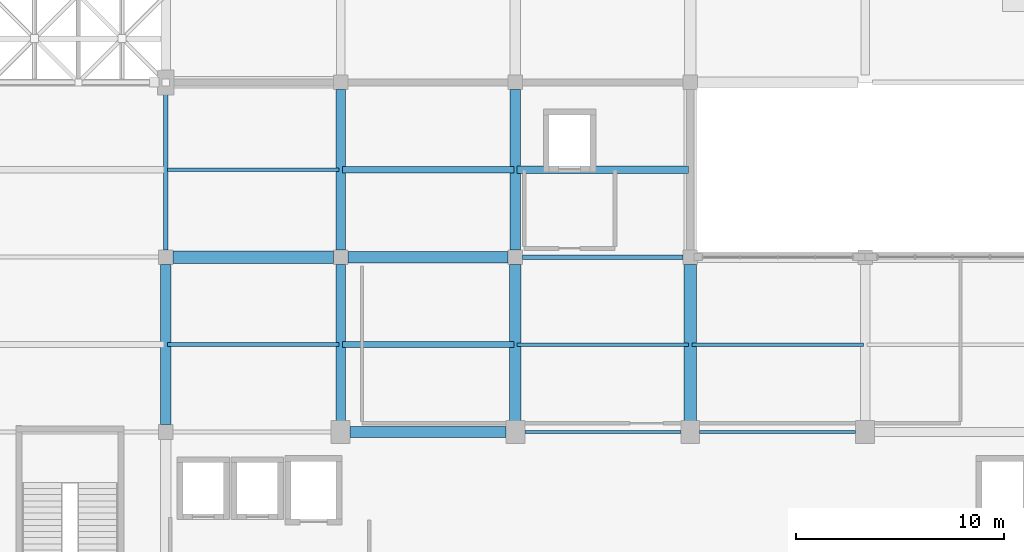
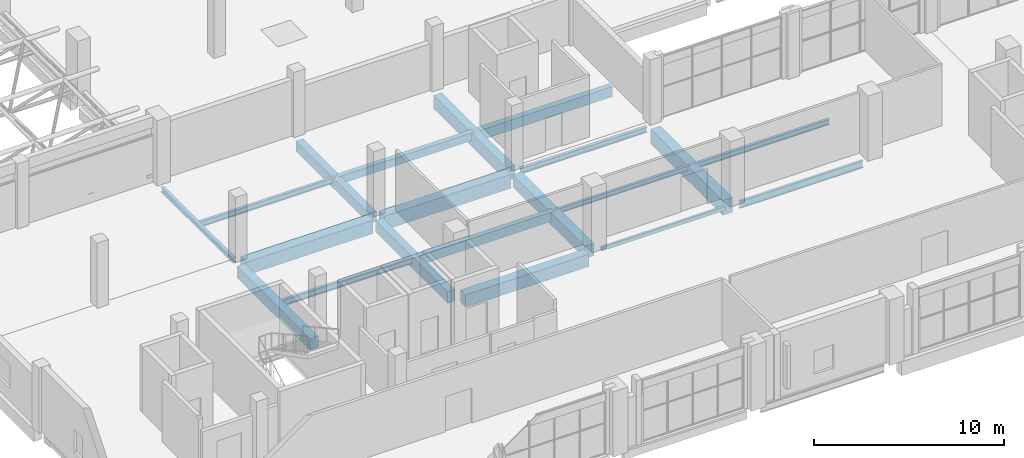
# One storey, part 12 of 64: 20 beams.
"""IFC4 building model written with IfcOpenShell, lengths in metres."""

from ifc_helpers import new_model, si_unit, derived_unit, direction, frame, origin, origin_2d, place, context, subcontext, project, spatial, rectangle, hollow_rectangle, i_section, extrude, material, material_profile, profile_set, type_object, element, save


model = new_model("IFC4")

# Units and contexts
model_context = context("Model", 3, precision=1e-05, world=origin(), true_north=direction((0.0, 1.0)))
body_context = subcontext(model_context, "Body", "Model", "MODEL_VIEW")
ifc_project = project(units=[si_unit("LENGTHUNIT", "METRE"), si_unit("AREAUNIT", "SQUARE_METRE"), si_unit("VOLUMEUNIT", "CUBIC_METRE"), si_unit("PLANEANGLEUNIT", "RADIAN"), si_unit("MASSUNIT", "GRAM", prefix="KILO"), derived_unit("THERMALTRANSMITTANCEUNIT", [(si_unit("POWERUNIT", "WATT"), 1), (si_unit("LENGTHUNIT", "METRE"), -2), (si_unit("THERMODYNAMICTEMPERATUREUNIT", "KELVIN"), -1)])], contexts=[model_context])

# Site, building, storey
site_placement = place(None, origin())
site = spatial("IfcSite", under=ifc_project, at=site_placement, CompositionType="ELEMENT")
building_placement = place(site_placement, origin())
building = spatial("IfcBuilding", under=site, at=building_placement, Name="Barrovel Congress Hotel", CompositionType="ELEMENT")
storey_placement = place(building_placement, frame((0.0, 0.0, 14.10009765625)))
storey = spatial("IfcBuildingStorey", under=building, at=storey_placement, Name="L03", CompositionType="ELEMENT", Elevation=14.10009765625)

# Beams
ifc_material_1 = material(Name="Concrete C40", Category="concrete")
ifc_material_profile_1 = material_profile(ifc_material_1, rectangle(XDim=0.300048828125, YDim=0.5, at=origin_2d()), Name="RC300x500")
ifc_profile_set_1 = profile_set([ifc_material_profile_1], Name="Concrete C40")
beam_type_1 = type_object("IfcBeamType", Name="BM-RC300x500", PredefinedType="JOIST", material=ifc_profile_set_1)
beam_1_placement = place(storey_placement, frame((42.080078125, 33.60009765625, -0.489990234375), z_axis=(1.0, 0.0, 0.0), x_axis=(0.0, 1.0, 0.0)))
element("IfcBeam", 1, at=beam_1_placement, inside=storey, type_object=beam_type_1, Name="JST:L03:42.0:33.6", PredefinedType="JOIST", context=body_context, shape_type="SweptSolid", body=[
    extrude(rectangle(XDim=0.300048828125, YDim=0.5, at=origin_2d()), origin(), (0.0, 0.0, 1.0), 8.239990234375),
])
ifc_material_profile_2 = material_profile(ifc_material_1, rectangle(XDim=0.300048828125, YDim=0.60009765625, at=origin_2d()), Name="RC300x600")
ifc_profile_set_2 = profile_set([ifc_material_profile_2], Name="Concrete C40")
beam_type_2 = type_object("IfcBeamType", Name="BM-RC300x600", PredefinedType="JOIST", material=ifc_profile_set_2)
beam_2_placement = place(storey_placement, frame((42.080078125, 25.199951171875, -0.5400390625), z_axis=(1.0, 0.0, 0.0), x_axis=(0.0, 1.0, 0.0)))
element("IfcBeam", 2, at=beam_2_placement, inside=storey, type_object=beam_type_2, Name="JST:L03:42.0:25.2", PredefinedType="JOIST", context=body_context, shape_type="SweptSolid", body=[
    extrude(rectangle(XDim=0.300048828125, YDim=0.60009765625, at=origin_2d()), origin(), (0.0, 0.0, 1.0), 8.239990234375),
])
ifc_material_profile_3 = material_profile(ifc_material_1, rectangle(XDim=0.35009765625, YDim=0.64990234375, at=origin_2d()), Name="RC350x650")
ifc_profile_set_3 = profile_set([ifc_material_profile_3], Name="Concrete C40")
beam_type_3 = type_object("IfcBeamType", Name="BM-RC350x650", PredefinedType="JOIST", material=ifc_profile_set_3)
beam_3_placement = place(storey_placement, frame((50.47998046875, 33.60009765625, -0.565185546875), z_axis=(1.0, 0.0, 0.0), x_axis=(0.0, 1.0, 0.0)))
element("IfcBeam", 3, at=beam_3_placement, inside=storey, type_object=beam_type_3, Name="JST:L03:50.4:33.6", PredefinedType="JOIST", context=body_context, shape_type="SweptSolid", body=[
    extrude(rectangle(XDim=0.35009765625, YDim=0.64990234375, at=origin_2d()), origin(), (0.0, 0.0, 1.0), 8.239990234375),
])
ifc_material_profile_4 = material_profile(ifc_material_1, rectangle(XDim=0.449951171875, YDim=0.64990234375, at=origin_2d()), Name="RC450x650")
ifc_profile_set_4 = profile_set([ifc_material_profile_4], Name="Concrete C40")
beam_type_4 = type_object("IfcBeamType", Name="BM-RC450x650", PredefinedType="BEAM", material=ifc_profile_set_4)
beam_4_placement = place(storey_placement, frame((42.0, 29.75, -0.565185546875), z_axis=(0.0, 1.0, 0.0), x_axis=(-1.0, 0.0, 0.0)))
element("IfcBeam", 4, at=beam_4_placement, inside=storey, type_object=beam_type_4, Name="BMY:L03:42.0:29.4-37.8", PredefinedType="BEAM", context=body_context, shape_type="SweptSolid", body=[
    extrude(rectangle(XDim=0.449951171875, YDim=0.64990234375, at=origin_2d()), origin(), (0.0, 0.0, 1.0), 7.699951171875),
])
ifc_material_profile_5 = material_profile(ifc_material_1, rectangle(XDim=0.449951171875, YDim=0.75, at=origin_2d()), Name="RC450x750")
ifc_profile_set_5 = profile_set([ifc_material_profile_5], Name="Concrete C40")
beam_type_5 = type_object("IfcBeamType", Name="BM-RC450x750", PredefinedType="BEAM", material=ifc_profile_set_5)
beam_5_placement = place(storey_placement, frame((42.0, 21.449951171875, -0.614990234375), z_axis=(0.0, 1.0, 0.0), x_axis=(-1.0, 0.0, 0.0)))
element("IfcBeam", 5, at=beam_5_placement, inside=storey, type_object=beam_type_5, Name="BMY:L03:42.0:21.0-29.4", PredefinedType="BEAM", context=body_context, shape_type="SweptSolid", body=[
    extrude(rectangle(XDim=0.449951171875, YDim=0.75, at=origin_2d()), origin(), (0.0, 0.0, 1.0), 7.60009765625),
])
ifc_material_profile_6 = material_profile(ifc_material_1, rectangle(XDim=0.5, YDim=0.75, at=origin_2d()), Name="RC500x750")
ifc_profile_set_6 = profile_set([ifc_material_profile_6], Name="Concrete C40")
beam_type_6 = type_object("IfcBeamType", Name="BM-RC500x750", PredefinedType="BEAM", material=ifc_profile_set_6)
beam_6_placement = place(storey_placement, frame((33.60009765625, 21.35009765625, -0.614990234375), z_axis=(0.0, 1.0, 0.0), x_axis=(-1.0, 0.0, 0.0)))
element("IfcBeam", 6, at=beam_6_placement, inside=storey, type_object=beam_type_6, Name="BMY:L03:33.6:21.0-29.4", PredefinedType="BEAM", context=body_context, shape_type="SweptSolid", body=[
    extrude(rectangle(XDim=0.5, YDim=0.75, at=origin_2d()), origin(), (0.0, 0.0, 1.0), 7.699951171875),
])
ifc_material_profile_7 = material_profile(ifc_material_1, rectangle(XDim=0.5, YDim=0.85009765625, at=origin_2d()), Name="RC500x850")
ifc_profile_set_7 = profile_set([ifc_material_profile_7], Name="Concrete C40")
beam_type_7 = type_object("IfcBeamType", Name="BM-RC500x850", PredefinedType="BEAM", material=ifc_profile_set_7)
beam_7_placement = place(storey_placement, frame((50.39990234375, 29.75, -0.6650390625), z_axis=(0.0, 1.0, 0.0), x_axis=(-1.0, 0.0, 0.0)))
element("IfcBeam", 7, at=beam_7_placement, inside=storey, type_object=beam_type_7, Name="BMY:L03:50.4:29.4-37.8", PredefinedType="BEAM", context=body_context, shape_type="SweptSolid", body=[
    extrude(rectangle(XDim=0.5, YDim=0.85009765625, at=origin_2d()), origin(), (0.0, 0.0, 1.0), 7.699951171875),
])
ifc_material_profile_8 = material_profile(ifc_material_1, rectangle(XDim=0.550048828125, YDim=0.800048828125, at=origin_2d()), Name="RC550x800")
ifc_profile_set_8 = profile_set([ifc_material_profile_8], Name="Concrete C40")
beam_type_8 = type_object("IfcBeamType", Name="BM-RC550x800", PredefinedType="BEAM", material=ifc_profile_set_8)
beam_8_placement = place(storey_placement, frame((42.449951171875, 21.0, -0.64013671875), z_axis=(1.0, 0.0, 0.0), x_axis=(0.0, 1.0, 0.0)))
element("IfcBeam", 8, at=beam_8_placement, inside=storey, type_object=beam_type_8, Name="BMX:L03:21.0:42.0-50.4", PredefinedType="BEAM", context=body_context, shape_type="SweptSolid", body=[
    extrude(rectangle(XDim=0.550048828125, YDim=0.800048828125, at=origin_2d()), origin(), (0.0, 0.0, 1.0), 7.5),
])
beam_9_placement = place(storey_placement, frame((50.39990234375, 21.449951171875, -0.64013671875), z_axis=(0.0, 1.0, 0.0), x_axis=(-1.0, 0.0, 0.0)))
element("IfcBeam", 9, at=beam_9_placement, inside=storey, type_object=beam_type_8, Name="BMY:L03:50.4:21.0-29.4", PredefinedType="BEAM", context=body_context, shape_type="SweptSolid", body=[
    extrude(rectangle(XDim=0.550048828125, YDim=0.800048828125, at=origin_2d()), origin(), (0.0, 0.0, 1.0), 7.60009765625),
])
ifc_material_profile_9 = material_profile(ifc_material_1, rectangle(XDim=0.550048828125, YDim=0.89990234375, at=origin_2d()), Name="RC550x900")
ifc_profile_set_9 = profile_set([ifc_material_profile_9], Name="Concrete C40")
beam_type_9 = type_object("IfcBeamType", Name="BM-RC550x900", PredefinedType="BEAM", material=ifc_profile_set_9)
beam_10_placement = place(storey_placement, frame((42.35009765625, 29.39990234375, -0.690185546875), z_axis=(1.0, 0.0, 0.0), x_axis=(0.0, 1.0, 0.0)))
element("IfcBeam", 10, at=beam_10_placement, inside=storey, type_object=beam_type_9, Name="BMX:L03:29.4:42.0-50.4", PredefinedType="BEAM", context=body_context, shape_type="SweptSolid", body=[
    extrude(rectangle(XDim=0.550048828125, YDim=0.89990234375, at=origin_2d()), origin(), (0.0, 0.0, 1.0), 7.699951171875),
])
ifc_material_profile_10 = material_profile(ifc_material_1, rectangle(XDim=0.60009765625, YDim=0.85009765625, at=origin_2d()), Name="RC600x850")
ifc_profile_set_10 = profile_set([ifc_material_profile_10], Name="Concrete C40")
beam_type_10 = type_object("IfcBeamType", Name="BM-RC600x850", PredefinedType="BEAM", material=ifc_profile_set_10)
beam_11_placement = place(storey_placement, frame((33.949951171875, 29.39990234375, -0.6650390625), z_axis=(1.0, 0.0, 0.0), x_axis=(0.0, 1.0, 0.0)))
element("IfcBeam", 11, at=beam_11_placement, inside=storey, type_object=beam_type_10, Name="BMX:L03:29.4:33.6-42.0", PredefinedType="BEAM", context=body_context, shape_type="SweptSolid", body=[
    extrude(rectangle(XDim=0.60009765625, YDim=0.85009765625, at=origin_2d()), origin(), (0.0, 0.0, 1.0), 7.699951171875),
])
ifc_material_profile_11 = material_profile(ifc_material_1, rectangle(XDim=0.60009765625, YDim=0.949951171875, at=origin_2d()), Name="RC600x950")
ifc_profile_set_11 = profile_set([ifc_material_profile_11], Name="Concrete C40")
beam_type_11 = type_object("IfcBeamType", Name="BM-RC600x950", PredefinedType="BEAM", material=ifc_profile_set_11)
beam_12_placement = place(storey_placement, frame((58.800048828125, 21.449951171875, -0.715087890625), z_axis=(0.0, 1.0, 0.0), x_axis=(-1.0, 0.0, 0.0)))
element("IfcBeam", 12, at=beam_12_placement, inside=storey, type_object=beam_type_11, Name="BMY:L03:58.8:21.0-29.4", PredefinedType="BEAM", context=body_context, shape_type="SweptSolid", body=[
    extrude(rectangle(XDim=0.60009765625, YDim=0.949951171875, at=origin_2d()), origin(), (0.0, 0.0, 1.0), 7.60009765625),
])
ifc_material_2 = material(Name="Steel ASTM A500 Grade C", Category="steel")
ifc_material_profile_12 = material_profile(ifc_material_2, hollow_rectangle(XDim=0.15234375, YDim=0.25390625, WallThickness=0.0087890625, InnerFilletRadius=0.0087890625, OuterFilletRadius=0.017578125, at=origin_2d()), Name="HSS254x152x9.5")
ifc_profile_set_12 = profile_set([ifc_material_profile_12], Name="Steel ASTM A500 Grade C")
beam_type_12 = type_object("IfcBeamType", Name="SBM-HSS254x152x9.5", PredefinedType="SPANDREL", material=ifc_profile_set_12)
beam_13_placement = place(storey_placement, frame((50.85009765625, 21.0, -0.3671875), z_axis=(1.0, 0.0, 0.0), x_axis=(0.0, 1.0, 0.0)))
element("IfcBeam", 13, at=beam_13_placement, inside=storey, type_object=beam_type_12, Name="BMX:L03:21.0:50.4-58.8", PredefinedType="SPANDREL", context=body_context, shape_type="SweptSolid", body=[
    extrude(hollow_rectangle(XDim=0.15234375, YDim=0.25390625, WallThickness=0.0087890625, InnerFilletRadius=0.0087890625, OuterFilletRadius=0.017578125, at=origin_2d()), origin(), (0.0, 0.0, 1.0), 7.5),
])
ifc_material_3 = material(Name="Steel ASTM A992 Grade 50", Category="steel")
ifc_material_profile_13 = material_profile(ifc_material_3, i_section(OverallWidth=0.1650390625, OverallDepth=0.31005859375, WebThickness=0.005859375, FlangeThickness=0.009765625, FilletRadius=0.010986328125, at=origin_2d()), Name="W310x39")
ifc_profile_set_13 = profile_set([ifc_material_profile_13], Name="Steel ASTM A992 Grade 50")
beam_type_13 = type_object("IfcBeamType", Name="SBM-W310x39", PredefinedType="JOIST", material=ifc_profile_set_13)
beam_14_placement = place(storey_placement, frame((50.47998046875, 25.199951171875, -0.39501953125), z_axis=(1.0, 0.0, 0.0), x_axis=(0.0, 1.0, 0.0)))
element("IfcBeam", 14, at=beam_14_placement, inside=storey, type_object=beam_type_13, Name="JST:L03:50.4:25.2", PredefinedType="JOIST", context=body_context, shape_type="SweptSolid", body=[
    extrude(i_section(OverallWidth=0.1650390625, OverallDepth=0.31005859375, WebThickness=0.005859375, FlangeThickness=0.009765625, FilletRadius=0.010986328125, at=origin_2d()), origin(), (0.0, 0.0, 1.0), 8.239990234375),
])
ifc_material_profile_14 = material_profile(ifc_material_3, i_section(OverallWidth=0.205078125, OverallDepth=0.31005859375, WebThickness=0.009521484375, FlangeThickness=0.016357421875, FilletRadius=0.012939453125, at=origin_2d()), Name="W310x74")
ifc_profile_set_14 = profile_set([ifc_material_profile_14], Name="Steel ASTM A992 Grade 50")
beam_type_14 = type_object("IfcBeamType", Name="SBM-W310x74", PredefinedType="SPANDREL", material=ifc_profile_set_14)
beam_15_placement = place(storey_placement, frame((33.60009765625, 29.75, -0.39501953125), z_axis=(0.0, 1.0, 0.0), x_axis=(-1.0, 0.0, 0.0)))
element("IfcBeam", 15, at=beam_15_placement, inside=storey, type_object=beam_type_14, Name="BMY:L03:33.6:29.4-37.8", PredefinedType="SPANDREL", context=body_context, shape_type="SweptSolid", body=[
    extrude(i_section(OverallWidth=0.205078125, OverallDepth=0.31005859375, WebThickness=0.009521484375, FlangeThickness=0.016357421875, FilletRadius=0.012939453125, at=origin_2d()), origin(), (0.0, 0.0, 1.0), 7.60009765625),
])
ifc_material_profile_15 = material_profile(ifc_material_3, i_section(OverallWidth=0.1708984375, OverallDepth=0.35205078125, WebThickness=0.0068359375, FlangeThickness=0.009765625, FilletRadius=0.011962890625, at=origin_2d()), Name="W360x44")
ifc_profile_set_15 = profile_set([ifc_material_profile_15], Name="Steel ASTM A992 Grade 50")
beam_type_15 = type_object("IfcBeamType", Name="SBM-W360x44", PredefinedType="JOIST", material=ifc_profile_set_15)
beam_16_placement = place(storey_placement, frame((58.8798828125, 25.199951171875, -0.416015625), z_axis=(1.0, 0.0, 0.0), x_axis=(0.0, 1.0, 0.0)))
element("IfcBeam", 16, at=beam_16_placement, inside=storey, type_object=beam_type_15, Name="JST:L03:58.8:25.2", PredefinedType="JOIST", context=body_context, shape_type="SweptSolid", body=[
    extrude(i_section(OverallWidth=0.1708984375, OverallDepth=0.35205078125, WebThickness=0.0068359375, FlangeThickness=0.009765625, FilletRadius=0.011962890625, at=origin_2d()), origin(), (0.0, 0.0, 1.0), 8.240234375),
])
ifc_material_profile_16 = material_profile(ifc_material_3, i_section(OverallWidth=0.172119140625, OverallDepth=0.35791015625, WebThickness=0.0078125, FlangeThickness=0.01318359375, FilletRadius=0.011962890625, at=origin_2d()), Name="W360x57")
ifc_profile_set_16 = profile_set([ifc_material_profile_16], Name="Steel ASTM A992 Grade 50")
beam_type_16 = type_object("IfcBeamType", Name="SBM-W360x57", PredefinedType="JOIST", material=ifc_profile_set_16)
beam_17_placement = place(storey_placement, frame((33.679931640625, 33.60009765625, -0.419189453125), z_axis=(1.0, 0.0, 0.0), x_axis=(0.0, 1.0, 0.0)))
element("IfcBeam", 17, at=beam_17_placement, inside=storey, type_object=beam_type_16, Name="JST:L03:33.6:33.6", PredefinedType="JOIST", context=body_context, shape_type="SweptSolid", body=[
    extrude(i_section(OverallWidth=0.172119140625, OverallDepth=0.35791015625, WebThickness=0.0078125, FlangeThickness=0.01318359375, FilletRadius=0.011962890625, at=origin_2d()), origin(), (0.0, 0.0, 1.0), 8.239990234375),
])
ifc_material_profile_17 = material_profile(ifc_material_3, i_section(OverallWidth=0.205078125, OverallDepth=0.35400390625, WebThickness=0.009521484375, FlangeThickness=0.016845703125, FilletRadius=0.012939453125, at=origin_2d()), Name="W360x79")
ifc_profile_set_17 = profile_set([ifc_material_profile_17], Name="Steel ASTM A992 Grade 50")
beam_type_17 = type_object("IfcBeamType", Name="SBM-W360x79", PredefinedType="BEAM", material=ifc_profile_set_17)
beam_18_placement = place(storey_placement, frame((50.75, 29.39990234375, -0.4169921875), z_axis=(1.0, 0.0, 0.0), x_axis=(0.0, 1.0, 0.0)))
element("IfcBeam", 18, at=beam_18_placement, inside=storey, type_object=beam_type_17, Name="BMX:L03:29.4:50.4-58.8", PredefinedType="BEAM", context=body_context, shape_type="SweptSolid", body=[
    extrude(i_section(OverallWidth=0.205078125, OverallDepth=0.35400390625, WebThickness=0.009521484375, FlangeThickness=0.016845703125, FilletRadius=0.012939453125, at=origin_2d()), origin(), (0.0, 0.0, 1.0), 7.699951171875),
])
ifc_material_profile_18 = material_profile(ifc_material_3, i_section(OverallWidth=0.177001953125, OverallDepth=0.403076171875, WebThickness=0.007568359375, FlangeThickness=0.010986328125, FilletRadius=0.011962890625, at=origin_2d()), Name="W410x53")
ifc_profile_set_18 = profile_set([ifc_material_profile_18], Name="Steel ASTM A992 Grade 50")
beam_type_18 = type_object("IfcBeamType", Name="SBM-W410x53", PredefinedType="JOIST", material=ifc_profile_set_18)
beam_19_placement = place(storey_placement, frame((33.679931640625, 25.199951171875, -0.441650390625), z_axis=(1.0, 0.0, 0.0), x_axis=(0.0, 1.0, 0.0)))
element("IfcBeam", 19, at=beam_19_placement, inside=storey, type_object=beam_type_18, Name="JST:L03:33.6:25.2", PredefinedType="JOIST", context=body_context, shape_type="SweptSolid", body=[
    extrude(i_section(OverallWidth=0.177001953125, OverallDepth=0.403076171875, WebThickness=0.007568359375, FlangeThickness=0.010986328125, FilletRadius=0.011962890625, at=origin_2d()), origin(), (0.0, 0.0, 1.0), 8.239990234375),
])
ifc_material_profile_19 = material_profile(ifc_material_3, i_section(OverallWidth=0.154052734375, OverallDepth=0.458984375, WebThickness=0.009033203125, FlangeThickness=0.015380859375, FilletRadius=0.012939453125, at=origin_2d()), Name="W460x68")
ifc_profile_set_19 = profile_set([ifc_material_profile_19], Name="Steel ASTM A992 Grade 50")
beam_type_19 = type_object("IfcBeamType", Name="SBM-W460x68", PredefinedType="BEAM", material=ifc_profile_set_19)
beam_20_placement = place(storey_placement, frame((59.25, 21.0, -0.469482421875), z_axis=(1.0, 0.0, 0.0), x_axis=(0.0, 1.0, 0.0)))
element("IfcBeam", 20, at=beam_20_placement, inside=storey, type_object=beam_type_19, Name="BMX:L03:21.0:58.8-67.2", PredefinedType="BEAM", context=body_context, shape_type="SweptSolid", body=[
    extrude(i_section(OverallWidth=0.154052734375, OverallDepth=0.458984375, WebThickness=0.009033203125, FlangeThickness=0.015380859375, FilletRadius=0.012939453125, at=origin_2d()), origin(), (0.0, 0.0, 1.0), 7.5),
])

save(model, "model.ifc")
